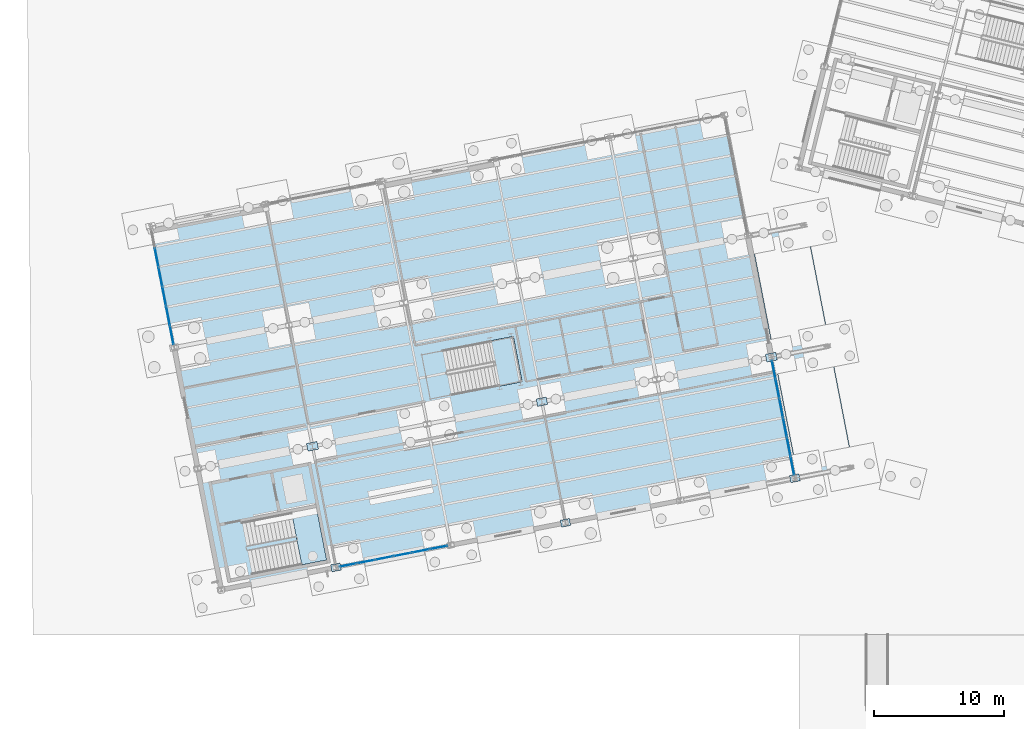
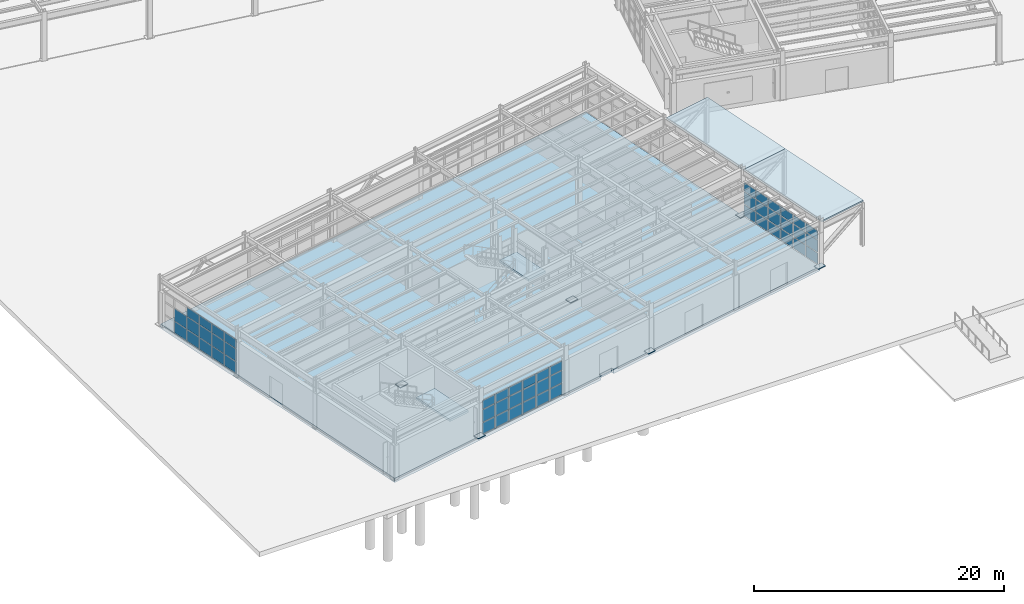
# One storey, part 60 of 108: 56 plates, 5 slabs, 5 elements without a shape of their own.
"""IFC4 building model written with IfcOpenShell, lengths in metres."""

import ifcopenshell
import ifcopenshell.guid

model = None  # the IFC model being written
_history = None  # IfcOwnerHistory: only IFC2X3 demands one
_inside = {}  # id of a spatial element -> (the spatial element, [elements in it])
_under = {}  # id of a project, library or spatial element -> (it, [spatial elements below it])
_declared = {}  # id of a project -> (the project, [libraries it declares])
_typed = {}  # id of a type object -> (the type object, [elements of that type])
_made_of = {}  # id of a material, layer set ... -> (it, [elements and type objects made of it])


def new_model(schema):
    """Start an empty IFC model of exactly this schema.

    Asked for "IFC4X3", IfcOpenShell would pick the latest addendum, in which some entities
    have other attributes; the version numbers below select the first issue.
    IFC2X3 requires an IfcOwnerHistory on every rooted entity: one is made here for all.
    """
    global model, _history
    if schema == "IFC4X3":
        model = ifcopenshell.file(schema_version=(4, 3, 0, 0))
    else:
        model = ifcopenshell.file(schema=schema)
    _inside.clear()
    _under.clear()
    _declared.clear()
    _typed.clear()
    _made_of.clear()
    _history = None
    if model.schema == "IFC2X3":
        org = make("IfcOrganization", Name="unknown")
        user = make(
            "IfcPersonAndOrganization",
            ThePerson=make("IfcPerson", FamilyName="unknown"),
            TheOrganization=org,
        )
        app = make(
            "IfcApplication",
            ApplicationDeveloper=org,
            Version="unknown",
            ApplicationFullName="unknown",
            ApplicationIdentifier="unknown",
        )
        _history = make(
            "IfcOwnerHistory",
            OwningUser=user,
            OwningApplication=app,
            ChangeAction="ADDED",
            CreationDate=0,
        )
    return model


def make(cls, **values):
    """One entity of the class cls with the attributes given. An attribute that is None is left unset."""
    return model.create_entity(
        cls, **{name: value for name, value in values.items() if value is not None}
    )


def rooted(cls, **values):
    """An entity with a GlobalId (a new one), such as an element, a storey or a relation."""
    return make(cls, GlobalId=ifcopenshell.guid.new(), OwnerHistory=_history, **values)


def si_unit(unit_type, name, prefix=None):
    """IfcSIUnit, for example si_unit("LENGTHUNIT", "METRE", prefix="MILLI")."""
    return make("IfcSIUnit", UnitType=unit_type, Prefix=prefix, Name=name)


def assignment(units):
    """IfcUnitAssignment: the units of a project."""
    return None if units is None else make("IfcUnitAssignment", Units=units)


def point(xyz):
    """IfcCartesianPoint."""
    return None if xyz is None else make("IfcCartesianPoint", Coordinates=xyz)


def direction(xyz):
    """IfcDirection."""
    return None if xyz is None else make("IfcDirection", DirectionRatios=xyz)


def frame(location, z_axis=None, x_axis=None):
    """IfcAxis2Placement3D, a coordinate frame: its origin and axes. An axis left out is left unset."""
    return make(
        "IfcAxis2Placement3D",
        Location=point(location),
        Axis=direction(z_axis),
        RefDirection=direction(x_axis),
    )


def frame_2d(location, x_axis=None):
    """IfcAxis2Placement2D, a coordinate frame in the plane: its origin and x axis."""
    return make(
        "IfcAxis2Placement2D", Location=point(location), RefDirection=direction(x_axis)
    )


def origin():
    """The frame at (0, 0, 0) with its axes left unset."""
    return frame((0.0, 0.0, 0.0))


def origin_2d():
    """The frame at (0, 0) in the plane with its x axis left unset."""
    return frame_2d((0.0, 0.0))


def place(relative_to, where):
    """IfcLocalPlacement: puts the frame where relative to a parent placement (None: the world)."""
    return make(
        "IfcLocalPlacement", PlacementRelTo=relative_to, RelativePlacement=where
    )


def context(
    kind, dimensions, precision=None, world=None, true_north=None, identifier=None
):
    """IfcGeometricRepresentationContext, for example the 3D "Model" context."""
    return make(
        "IfcGeometricRepresentationContext",
        ContextIdentifier=identifier,
        ContextType=kind,
        CoordinateSpaceDimension=dimensions,
        Precision=precision,
        WorldCoordinateSystem=world,
        TrueNorth=true_north,
    )


def subcontext(parent, identifier, kind, view, scale=None):
    """IfcGeometricRepresentationSubContext, for example "Body" below "Model"."""
    return make(
        "IfcGeometricRepresentationSubContext",
        ContextIdentifier=identifier,
        ContextType=kind,
        ParentContext=parent,
        TargetScale=scale,
        TargetView=view,
    )


def project(units=None, contexts=None):
    """IfcProject with its units and contexts."""
    return rooted(
        "IfcProject",
        Name="project",
        RepresentationContexts=contexts,
        UnitsInContext=assignment(units),
    )


def spatial(cls, under=None, at=None, **own):
    """A site, building, storey or space (cls), placed at a placement, below another one or the project."""
    s = rooted(cls, ObjectPlacement=at, **own)
    if under is not None:
        _under.setdefault(under.id(), (under, []))[1].append(s)
    return s


def polyline(points):
    """IfcPolyline through the points."""
    return make("IfcPolyline", Points=[point(p) for p in points])


def profile(cls, at=None, kind="AREA", **sizes):
    """A parametric profile (cls). Its sizes go by their IFC names, for example OverallWidth=200.0."""
    return make(cls, ProfileType=kind, Position=at, **sizes)


def rectangle(**sizes):
    """IfcRectangleProfileDef."""
    return profile("IfcRectangleProfileDef", **sizes)


def outline(outer, holes=None, kind="AREA"):
    """IfcArbitraryClosedProfileDef: a profile drawn as a closed curve; with holes, ...WithVoids."""
    if holes is None:
        return make("IfcArbitraryClosedProfileDef", ProfileType=kind, OuterCurve=outer)
    return make(
        "IfcArbitraryProfileDefWithVoids",
        ProfileType=kind,
        OuterCurve=outer,
        InnerCurves=holes,
    )


def extrude(swept, where, along, depth):
    """IfcExtrudedAreaSolid: the profile swept, set in the frame where, extruded along a direction by depth."""
    return make(
        "IfcExtrudedAreaSolid",
        SweptArea=swept,
        Position=where,
        ExtrudedDirection=direction(along),
        Depth=depth,
    )


def shape(context_of_items, identifier, shape_type, items):
    """IfcShapeRepresentation: the items that make up one representation, for example the "Body"."""
    return make(
        "IfcShapeRepresentation",
        ContextOfItems=context_of_items,
        RepresentationIdentifier=identifier,
        RepresentationType=shape_type,
        Items=items,
    )


def material(Name=None, Category=None):
    """IfcMaterial."""
    return make("IfcMaterial", Name=Name, Category=Category)


def layer(
    of_material, thickness, ventilated=None, Name=None, Category=None, Priority=None
):
    """IfcMaterialLayer: one layer of a wall or slab, of a material (None: an air gap)."""
    return make(
        "IfcMaterialLayer",
        Material=of_material,
        LayerThickness=thickness,
        IsVentilated=ventilated,
        Name=Name,
        Category=Category,
        Priority=Priority,
    )


def layer_set(layers, Name=None):
    """IfcMaterialLayerSet."""
    return make("IfcMaterialLayerSet", MaterialLayers=layers, LayerSetName=Name)


def made_of(thing, what):
    """Note that an element or type object is made of a material, layer set ...; save() writes the relation."""
    if what is not None:
        _made_of.setdefault(what.id(), (what, []))[1].append(thing)
    return thing


def type_object(cls, material=None, **own):
    """A type object (cls), such as IfcWallType, which elements share."""
    return made_of(rooted(cls, **own), material)


def element(
    cls,
    number,
    at=None,
    inside=None,
    cuts=None,
    type_object=None,
    material=None,
    context=None,
    identifier="Body",
    shape_type=None,
    held_by="IfcProductDefinitionShape",
    body=None,
    shapes=None,
    **own,
):
    """One element of the class cls, such as IfcWall. Its Tag is "e" and its number.

    at: its placement. inside: the storey or other place that contains it. cuts: it is an
    opening in that element (IfcRelVoidsElement). A single representation is given by context,
    identifier, shape_type and body (its items); several are given by shapes. held_by: the class
    of the entity that holds the representations. save() writes the other relations.
    """
    e = rooted(cls, Tag="e%d" % number, ObjectPlacement=at, **own)
    if body is not None:
        shapes = [shape(context, identifier, shape_type, body)]
    if shapes is not None:
        e.Representation = make(held_by, Representations=shapes)
    if inside is not None:
        _inside.setdefault(inside.id(), (inside, []))[1].append(e)
    if cuts is not None:
        rooted(
            "IfcRelVoidsElement", RelatingBuildingElement=cuts, RelatedOpeningElement=e
        )
    if type_object is not None:
        _typed.setdefault(type_object.id(), (type_object, []))[1].append(e)
    return made_of(e, material)


def aggregate(whole, parts):
    """IfcRelAggregates: a whole, such as a stair, and the parts it consists of."""
    return rooted("IfcRelAggregates", RelatingObject=whole, RelatedObjects=parts)


def save(model, path):
    """Write the relations noted so far, then the file.

    IfcRelAggregates (storeys below a building ...), IfcRelContainedInSpatialStructure (elements
    in a storey), IfcRelDefinesByType, IfcRelAssociatesMaterial and IfcRelDeclares: one each for
    every whole, place, type object, material and project.
    """
    for whole, parts in _under.values():
        aggregate(whole, parts)
    for where, things in _inside.values():
        rooted(
            "IfcRelContainedInSpatialStructure",
            RelatedElements=things,
            RelatingStructure=where,
        )
    for kind, things in _typed.values():
        rooted("IfcRelDefinesByType", RelatedObjects=things, RelatingType=kind)
    for what, things in _made_of.values():
        rooted("IfcRelAssociatesMaterial", RelatedObjects=things, RelatingMaterial=what)
    for by, libraries in _declared.values():
        rooted("IfcRelDeclares", RelatingContext=by, RelatedDefinitions=libraries)
    model.write(path)


model = new_model("IFC4")

# Units and contexts
model_context = context("Model", 3, precision=1e-05, world=origin(), true_north=direction((0.0, 1.0)))
body_context = subcontext(model_context, "Body", "Model", "MODEL_VIEW")
ifc_project = project(units=[si_unit("LENGTHUNIT", "METRE"), si_unit("AREAUNIT", "SQUARE_METRE"), si_unit("VOLUMEUNIT", "CUBIC_METRE"), si_unit("PLANEANGLEUNIT", "RADIAN"), si_unit("MASSUNIT", "GRAM", prefix="KILO")], contexts=[model_context])

# Site, building, storey
site_placement = place(None, origin())
site = spatial("IfcSite", under=ifc_project, at=site_placement, CompositionType="ELEMENT")
building_placement = place(site_placement, origin())
building = spatial("IfcBuilding", under=site, at=building_placement, Name="Vireo Bluff Cable Station", CompositionType="ELEMENT")
storey_placement = place(building_placement, origin())
storey = spatial("IfcBuildingStorey", under=building, at=storey_placement, Name="L00", CompositionType="ELEMENT", Elevation=0.0)

# Plates
ifc_material_1 = material(Name="Steel ASTM A572 Gr. 50", Category="steel")
ifc_layer_1 = layer(ifc_material_1, 0.044921875, Name="Steel ASTM A572 Gr. 50")
ifc_layer_set_1 = layer_set([ifc_layer_1], Name="Steel ASTM A572 Gr. 50")
plate_type_1 = type_object("IfcPlateType", Name="BASEPLATE-720X540X45", PredefinedType="SHEET", material=ifc_layer_set_1)
plate_1_placement = place(storey_placement, frame((36.00390625, 10.65185546875, 0.0), z_axis=(0.0, 0.0, 1.0), x_axis=(0.981627183448, 0.190808995377, 0.0)))
element("IfcPlate", 1, at=plate_1_placement, inside=storey, type_object=plate_type_1, Name="V5 column baseplate 230", PredefinedType="SHEET", context=body_context, shape_type="SweptSolid", body=[
    extrude(rectangle(XDim=0.719970703125, YDim=0.5400390625, at=origin_2d()), origin(), (0.0, 0.0, 1.0), 0.044921875),
])
ifc_layer_2 = layer(ifc_material_1, 0.047119140625, Name="Steel ASTM A572 Gr. 50")
ifc_layer_set_2 = layer_set([ifc_layer_2], Name="Steel ASTM A572 Gr. 50")
plate_type_2 = type_object("IfcPlateType", Name="BASEPLATE-740X550X47", PredefinedType="SHEET", material=ifc_layer_set_2)
for number, where, z_axis, x_axis, name in (
    (2, (18.334716796875, 7.21728515625, 0.0), (0.0, 0.0, 1.0), (0.981627183448, 0.190808995377, 0.0), "V5 column baseplate 222"),
    (3, (53.67333984375, 14.08642578125, 0.0), (0.0, 0.0, 1.0), (0.981627183448, 0.190808995377, 0.0), "V5 column baseplate 238"),
):
    element("IfcPlate", number, at=place(storey_placement, frame(where, z_axis=z_axis, x_axis=x_axis)), inside=storey, type_object=plate_type_2, Name=name, PredefinedType="SHEET", context=body_context, shape_type="SweptSolid", body=[
        extrude(rectangle(XDim=0.739990234375, YDim=0.550048828125, at=origin_2d()), origin(), (0.0, 0.0, 1.0), 0.047119140625),
    ])
ifc_layer_3 = layer(ifc_material_1, 0.050048828125, Name="Steel ASTM A572 Gr. 50")
ifc_layer_set_3 = layer_set([ifc_layer_3], Name="Steel ASTM A572 Gr. 50")
plate_type_3 = type_object("IfcPlateType", Name="BASEPLATE-780X580X50", PredefinedType="SHEET", material=ifc_layer_set_3)
plate_2_placement = place(storey_placement, frame((34.191162109375, 19.977294921875, 0.0), z_axis=(0.0, 0.0, 1.0), x_axis=(0.981627183448, 0.190808995377, 0.0)))
element("IfcPlate", 4, at=plate_2_placement, inside=storey, type_object=plate_type_3, Name="V5 column baseplate 231", PredefinedType="SHEET", context=body_context, shape_type="SweptSolid", body=[
    extrude(rectangle(XDim=0.780029296875, YDim=0.580078125, at=origin_2d()), origin(), (0.0, 0.0, 1.0), 0.050048828125),
])
ifc_layer_4 = layer(ifc_material_1, 0.052001953125, Name="Steel ASTM A572 Gr. 50")
ifc_layer_set_4 = layer_set([ifc_layer_4], Name="Steel ASTM A572 Gr. 50")
plate_type_4 = type_object("IfcPlateType", Name="BASEPLATE-820X600X52", PredefinedType="SHEET", material=ifc_layer_set_4)
for number, where, z_axis, x_axis, name in (
    (5, (16.52197265625, 16.542724609375, 0.0), (0.0, 0.0, 1.0), (0.981627183448, 0.190808995377, 0.0), "V5 column baseplate 223"),
    (6, (51.860595703125, 23.411865234375, 0.0), (0.0, 0.0, 1.0), (0.981627183448, 0.190808995377, 0.0), "V5 column baseplate 239"),
):
    element("IfcPlate", number, at=place(storey_placement, frame(where, z_axis=z_axis, x_axis=x_axis)), inside=storey, type_object=plate_type_4, Name=name, PredefinedType="SHEET", context=body_context, shape_type="SweptSolid", body=[
        extrude(rectangle(XDim=0.820068359375, YDim=0.60009765625, at=origin_2d()), origin(), (0.0, 0.0, 1.0), 0.052001953125),
    ])

# Curtain wall, plates
ifc_material_2 = material(Name="Anodized Aluminium 6063-T6", Category="aluminium")
ifc_layer_5 = layer(ifc_material_2, 0.179931640625, Name="Anodized Aluminium 6063-T6")
ifc_layer_set_5 = layer_set([ifc_layer_5], Name="Anodized Aluminium 6063-T6")
curtain_wall_type_1 = type_object("IfcCurtainWallType", Name="CW-UNIT-1400", PredefinedType="USERDEFINED", material=ifc_layer_set_5)
curtain_wall_1_placement = place(storey_placement, origin())
curtain_wall_1 = element("IfcCurtainWall", 7, at=curtain_wall_1_placement, inside=storey, type_object=curtain_wall_type_1, Name="V5 L00 south curtain wall CW-111", ObjectType="UNITISED CURTAIN WALL", PredefinedType="USERDEFINED")
ifc_material_3 = material(Name="Laminated Low-E Insulated Glass", Category="glass")
ifc_layer_6 = layer(ifc_material_3, 0.031982421875, Name="Laminated Low-E Insulated Glass")
ifc_layer_set_6 = layer_set([ifc_layer_6], Name="Laminated Low-E Insulated Glass")
plate_type_5 = type_object("IfcPlateType", Name="CWP-32-2", PredefinedType="CURTAIN_PANEL", material=ifc_layer_set_6)
plate_3_placement = place(storey_placement, frame((26.24560546875, 8.7548828125, 0.080078125), z_axis=(0.0, 0.0, 1.0), x_axis=(-0.981627191637, -0.190808953247, 0.0)))
plate_3 = element("IfcPlate", 8, at=plate_3_placement, type_object=plate_type_5, Name="CW-111 panel 1.1", PredefinedType="CURTAIN_PANEL", context=body_context, shape_type="SweptSolid", body=[
    extrude(rectangle(XDim=1.31201171875, YDim=0.031982421875, at=origin_2d()), origin(), (0.0, 0.0, 1.0), 1.070068359375),
])
plate_4_placement = place(storey_placement, frame((26.24560546875, 8.7548828125, 1.22998046875), z_axis=(0.0, 0.0, 1.0), x_axis=(-0.981627191637, -0.190808953247, 0.0)))
plate_4 = element("IfcPlate", 9, at=plate_4_placement, type_object=plate_type_5, Name="CW-111 panel 1.2", PredefinedType="CURTAIN_PANEL", context=body_context, shape_type="SweptSolid", body=[
    extrude(rectangle(XDim=1.31201171875, YDim=0.031982421875, at=origin_2d()), origin(), (0.0, 0.0, 1.0), 1.177978515625),
])
plate_5_placement = place(storey_placement, frame((26.24560546875, 8.7548828125, 2.488037109375), z_axis=(0.0, 0.0, 1.0), x_axis=(-0.981627191637, -0.190808953247, 0.0)))
plate_5 = element("IfcPlate", 10, at=plate_5_placement, type_object=plate_type_5, Name="CW-111 panel 1.3", PredefinedType="CURTAIN_PANEL", context=body_context, shape_type="SweptSolid", body=[
    extrude(rectangle(XDim=1.31201171875, YDim=0.031982421875, at=origin_2d()), origin(), (0.0, 0.0, 1.0), 0.83203125),
])
plate_6_placement = place(storey_placement, frame((24.859375, 8.485595703125, 0.080078125), z_axis=(0.0, 0.0, 1.0), x_axis=(-0.981627191637, -0.190808953247, 0.0)))
plate_6 = element("IfcPlate", 11, at=plate_6_placement, type_object=plate_type_5, Name="CW-111 panel 2.1", PredefinedType="CURTAIN_PANEL", context=body_context, shape_type="SweptSolid", body=[
    extrude(rectangle(XDim=1.35205078125, YDim=0.031982421875, at=origin_2d()), origin(), (0.0, 0.0, 1.0), 1.070068359375),
])
plate_7_placement = place(storey_placement, frame((24.859375, 8.485595703125, 1.22998046875), z_axis=(0.0, 0.0, 1.0), x_axis=(-0.981627191637, -0.190808953247, 0.0)))
plate_7 = element("IfcPlate", 12, at=plate_7_placement, type_object=plate_type_5, Name="CW-111 panel 2.2", PredefinedType="CURTAIN_PANEL", context=body_context, shape_type="SweptSolid", body=[
    extrude(rectangle(XDim=1.35205078125, YDim=0.031982421875, at=origin_2d()), origin(), (0.0, 0.0, 1.0), 1.177978515625),
])
plate_8_placement = place(storey_placement, frame((24.859375, 8.485595703125, 2.488037109375), z_axis=(0.0, 0.0, 1.0), x_axis=(-0.981627191637, -0.190808953247, 0.0)))
plate_8 = element("IfcPlate", 13, at=plate_8_placement, type_object=plate_type_5, Name="CW-111 panel 2.3", PredefinedType="CURTAIN_PANEL", context=body_context, shape_type="SweptSolid", body=[
    extrude(rectangle(XDim=1.35205078125, YDim=0.031982421875, at=origin_2d()), origin(), (0.0, 0.0, 1.0), 0.83203125),
])
plate_9_placement = place(storey_placement, frame((23.45361328125, 8.21240234375, 0.080078125), z_axis=(0.0, 0.0, 1.0), x_axis=(-0.981627191637, -0.190808953247, 0.0)))
plate_9 = element("IfcPlate", 14, at=plate_9_placement, type_object=plate_type_5, Name="CW-111 panel 3.1", PredefinedType="CURTAIN_PANEL", context=body_context, shape_type="SweptSolid", body=[
    extrude(rectangle(XDim=1.35205078125, YDim=0.031982421875, at=origin_2d()), origin(), (0.0, 0.0, 1.0), 1.070068359375),
])
plate_10_placement = place(storey_placement, frame((23.45361328125, 8.21240234375, 1.22998046875), z_axis=(0.0, 0.0, 1.0), x_axis=(-0.981627191637, -0.190808953247, 0.0)))
plate_10 = element("IfcPlate", 15, at=plate_10_placement, type_object=plate_type_5, Name="CW-111 panel 3.2", PredefinedType="CURTAIN_PANEL", context=body_context, shape_type="SweptSolid", body=[
    extrude(rectangle(XDim=1.35205078125, YDim=0.031982421875, at=origin_2d()), origin(), (0.0, 0.0, 1.0), 1.177978515625),
])
plate_11_placement = place(storey_placement, frame((23.45361328125, 8.21240234375, 2.488037109375), z_axis=(0.0, 0.0, 1.0), x_axis=(-0.981627191637, -0.190808953247, 0.0)))
plate_11 = element("IfcPlate", 16, at=plate_11_placement, type_object=plate_type_5, Name="CW-111 panel 3.3", PredefinedType="CURTAIN_PANEL", context=body_context, shape_type="SweptSolid", body=[
    extrude(rectangle(XDim=1.35205078125, YDim=0.031982421875, at=origin_2d()), origin(), (0.0, 0.0, 1.0), 0.83203125),
])
plate_12_placement = place(storey_placement, frame((22.0478515625, 7.93896484375, 0.080078125), z_axis=(0.0, 0.0, 1.0), x_axis=(-0.981627191637, -0.190808953247, 0.0)))
plate_12 = element("IfcPlate", 17, at=plate_12_placement, type_object=plate_type_5, Name="CW-111 panel 4.1", PredefinedType="CURTAIN_PANEL", context=body_context, shape_type="SweptSolid", body=[
    extrude(rectangle(XDim=1.35205078125, YDim=0.031982421875, at=origin_2d()), origin(), (0.0, 0.0, 1.0), 1.070068359375),
])
plate_13_placement = place(storey_placement, frame((22.0478515625, 7.93896484375, 1.22998046875), z_axis=(0.0, 0.0, 1.0), x_axis=(-0.981627191637, -0.190808953247, 0.0)))
plate_13 = element("IfcPlate", 18, at=plate_13_placement, type_object=plate_type_5, Name="CW-111 panel 4.2", PredefinedType="CURTAIN_PANEL", context=body_context, shape_type="SweptSolid", body=[
    extrude(rectangle(XDim=1.35205078125, YDim=0.031982421875, at=origin_2d()), origin(), (0.0, 0.0, 1.0), 1.177978515625),
])
plate_14_placement = place(storey_placement, frame((22.0478515625, 7.93896484375, 2.488037109375), z_axis=(0.0, 0.0, 1.0), x_axis=(-0.981627191637, -0.190808953247, 0.0)))
plate_14 = element("IfcPlate", 19, at=plate_14_placement, type_object=plate_type_5, Name="CW-111 panel 4.3", PredefinedType="CURTAIN_PANEL", context=body_context, shape_type="SweptSolid", body=[
    extrude(rectangle(XDim=1.35205078125, YDim=0.031982421875, at=origin_2d()), origin(), (0.0, 0.0, 1.0), 0.83203125),
])
plate_15_placement = place(storey_placement, frame((20.64208984375, 7.665771484375, 0.080078125), z_axis=(0.0, 0.0, 1.0), x_axis=(-0.981627191637, -0.190808953247, 0.0)))
plate_15 = element("IfcPlate", 20, at=plate_15_placement, type_object=plate_type_5, Name="CW-111 panel 5.1", PredefinedType="CURTAIN_PANEL", context=body_context, shape_type="SweptSolid", body=[
    extrude(rectangle(XDim=1.35205078125, YDim=0.031982421875, at=origin_2d()), origin(), (0.0, 0.0, 1.0), 1.070068359375),
])
plate_16_placement = place(storey_placement, frame((20.64208984375, 7.665771484375, 1.22998046875), z_axis=(0.0, 0.0, 1.0), x_axis=(-0.981627191637, -0.190808953247, 0.0)))
plate_16 = element("IfcPlate", 21, at=plate_16_placement, type_object=plate_type_5, Name="CW-111 panel 5.2", PredefinedType="CURTAIN_PANEL", context=body_context, shape_type="SweptSolid", body=[
    extrude(rectangle(XDim=1.35205078125, YDim=0.031982421875, at=origin_2d()), origin(), (0.0, 0.0, 1.0), 1.177978515625),
])
plate_17_placement = place(storey_placement, frame((20.64208984375, 7.665771484375, 2.488037109375), z_axis=(0.0, 0.0, 1.0), x_axis=(-0.981627191637, -0.190808953247, 0.0)))
plate_17 = element("IfcPlate", 22, at=plate_17_placement, type_object=plate_type_5, Name="CW-111 panel 5.3", PredefinedType="CURTAIN_PANEL", context=body_context, shape_type="SweptSolid", body=[
    extrude(rectangle(XDim=1.35205078125, YDim=0.031982421875, at=origin_2d()), origin(), (0.0, 0.0, 1.0), 0.83203125),
])
plate_18_placement = place(storey_placement, frame((19.255859375, 7.396484375, 0.080078125), z_axis=(0.0, 0.0, 1.0), x_axis=(-0.981627191637, -0.190808953247, 0.0)))
plate_18 = element("IfcPlate", 23, at=plate_18_placement, type_object=plate_type_5, Name="CW-111 panel 6.1", PredefinedType="CURTAIN_PANEL", context=body_context, shape_type="SweptSolid", body=[
    extrude(rectangle(XDim=1.31201171875, YDim=0.031982421875, at=origin_2d()), origin(), (0.0, 0.0, 1.0), 1.070068359375),
])
plate_19_placement = place(storey_placement, frame((19.255859375, 7.396484375, 1.22998046875), z_axis=(0.0, 0.0, 1.0), x_axis=(-0.981627191637, -0.190808953247, 0.0)))
plate_19 = element("IfcPlate", 24, at=plate_19_placement, type_object=plate_type_5, Name="CW-111 panel 6.2", PredefinedType="CURTAIN_PANEL", context=body_context, shape_type="SweptSolid", body=[
    extrude(rectangle(XDim=1.31201171875, YDim=0.031982421875, at=origin_2d()), origin(), (0.0, 0.0, 1.0), 1.177978515625),
])
plate_20_placement = place(storey_placement, frame((19.255859375, 7.396484375, 2.488037109375), z_axis=(0.0, 0.0, 1.0), x_axis=(-0.981627191637, -0.190808953247, 0.0)))
plate_20 = element("IfcPlate", 25, at=plate_20_placement, type_object=plate_type_5, Name="CW-111 panel 6.3", PredefinedType="CURTAIN_PANEL", context=body_context, shape_type="SweptSolid", body=[
    extrude(rectangle(XDim=1.31201171875, YDim=0.031982421875, at=origin_2d()), origin(), (0.0, 0.0, 1.0), 0.83203125),
])
aggregate(curtain_wall_1, [plate_3, plate_4, plate_5, plate_6, plate_7, plate_8, plate_9, plate_10, plate_11, plate_12, plate_13, plate_14, plate_15, plate_16, plate_17, plate_18, plate_19, plate_20])

ifc_layer_7 = layer(ifc_material_2, 0.179931640625, Name="Anodized Aluminium 6063-T6")
ifc_layer_set_7 = layer_set([ifc_layer_7], Name="Anodized Aluminium 6063-T6")
curtain_wall_type_2 = type_object("IfcCurtainWallType", Name="CW-UNIT-1500", PredefinedType="USERDEFINED", material=ifc_layer_set_7)
curtain_wall_2_placement = place(storey_placement, origin())
curtain_wall_2 = element("IfcCurtainWall", 26, at=curtain_wall_2_placement, inside=storey, type_object=curtain_wall_type_2, Name="V5 L00 west curtain wall CW-112", ObjectType="UNITISED CURTAIN WALL", PredefinedType="USERDEFINED")
ifc_layer_8 = layer(ifc_material_3, 0.035888671875, Name="Laminated Low-E Insulated Glass")
ifc_layer_set_8 = layer_set([ifc_layer_8], Name="Laminated Low-E Insulated Glass")
plate_type_6 = type_object("IfcPlateType", Name="CWP-36-3", PredefinedType="CURTAIN_PANEL", material=ifc_layer_set_8)
plate_21_placement = place(storey_placement, frame((5.68603515625, 25.12060546875, 0.06494140625), z_axis=(0.0, 0.0, 1.0), x_axis=(-0.190809009717, 0.98162718066, 0.0)))
plate_21 = element("IfcPlate", 27, at=plate_21_placement, type_object=plate_type_6, Name="CW-112 panel 1.1", PredefinedType="CURTAIN_PANEL", context=body_context, shape_type="SweptSolid", body=[
    extrude(rectangle(XDim=1.4248046875, YDim=0.035888671875, at=origin_2d()), origin(), (0.0, 0.0, 1.0), 1.092529296875),
])
plate_22_placement = place(storey_placement, frame((5.68603515625, 25.12060546875, 1.22265625), z_axis=(0.0, 0.0, 1.0), x_axis=(-0.190809009717, 0.98162718066, 0.0)))
plate_22 = element("IfcPlate", 28, at=plate_22_placement, type_object=plate_type_6, Name="CW-112 panel 1.2", PredefinedType="CURTAIN_PANEL", context=body_context, shape_type="SweptSolid", body=[
    extrude(rectangle(XDim=1.4248046875, YDim=0.035888671875, at=origin_2d()), origin(), (0.0, 0.0, 1.0), 1.193115234375),
])
plate_23_placement = place(storey_placement, frame((5.68603515625, 25.12060546875, 2.48046875), z_axis=(0.0, 0.0, 1.0), x_axis=(-0.190809009717, 0.98162718066, 0.0)))
plate_23 = element("IfcPlate", 29, at=plate_23_placement, type_object=plate_type_6, Name="CW-112 panel 1.3", PredefinedType="CURTAIN_PANEL", context=body_context, shape_type="SweptSolid", body=[
    extrude(rectangle(XDim=1.4248046875, YDim=0.035888671875, at=origin_2d()), origin(), (0.0, 0.0, 1.0), 0.8544921875),
])
plate_24_placement = place(storey_placement, frame((5.398681640625, 26.59912109375, 0.06494140625), z_axis=(0.0, 0.0, 1.0), x_axis=(-0.190809009717, 0.98162718066, 0.0)))
plate_24 = element("IfcPlate", 30, at=plate_24_placement, type_object=plate_type_6, Name="CW-112 panel 2.1", PredefinedType="CURTAIN_PANEL", context=body_context, shape_type="SweptSolid", body=[
    extrude(rectangle(XDim=1.45751953125, YDim=0.035888671875, at=origin_2d()), origin(), (0.0, 0.0, 1.0), 1.092529296875),
])
plate_25_placement = place(storey_placement, frame((5.398681640625, 26.59912109375, 1.22265625), z_axis=(0.0, 0.0, 1.0), x_axis=(-0.190809009717, 0.98162718066, 0.0)))
plate_25 = element("IfcPlate", 31, at=plate_25_placement, type_object=plate_type_6, Name="CW-112 panel 2.2", PredefinedType="CURTAIN_PANEL", context=body_context, shape_type="SweptSolid", body=[
    extrude(rectangle(XDim=1.45751953125, YDim=0.035888671875, at=origin_2d()), origin(), (0.0, 0.0, 1.0), 1.193115234375),
])
plate_26_placement = place(storey_placement, frame((5.398681640625, 26.59912109375, 2.48046875), z_axis=(0.0, 0.0, 1.0), x_axis=(-0.190809009717, 0.98162718066, 0.0)))
plate_26 = element("IfcPlate", 32, at=plate_26_placement, type_object=plate_type_6, Name="CW-112 panel 2.3", PredefinedType="CURTAIN_PANEL", context=body_context, shape_type="SweptSolid", body=[
    extrude(rectangle(XDim=1.45751953125, YDim=0.035888671875, at=origin_2d()), origin(), (0.0, 0.0, 1.0), 0.8544921875),
])
plate_27_placement = place(storey_placement, frame((5.108154296875, 28.09375, 0.06494140625), z_axis=(0.0, 0.0, 1.0), x_axis=(-0.190809009717, 0.98162718066, 0.0)))
plate_27 = element("IfcPlate", 33, at=plate_27_placement, type_object=plate_type_6, Name="CW-112 panel 3.1", PredefinedType="CURTAIN_PANEL", context=body_context, shape_type="SweptSolid", body=[
    extrude(rectangle(XDim=1.45751953125, YDim=0.035888671875, at=origin_2d()), origin(), (0.0, 0.0, 1.0), 1.092529296875),
])
plate_28_placement = place(storey_placement, frame((5.108154296875, 28.09375, 1.22265625), z_axis=(0.0, 0.0, 1.0), x_axis=(-0.190809009717, 0.98162718066, 0.0)))
plate_28 = element("IfcPlate", 34, at=plate_28_placement, type_object=plate_type_6, Name="CW-112 panel 3.2", PredefinedType="CURTAIN_PANEL", context=body_context, shape_type="SweptSolid", body=[
    extrude(rectangle(XDim=1.45751953125, YDim=0.035888671875, at=origin_2d()), origin(), (0.0, 0.0, 1.0), 1.193115234375),
])
plate_29_placement = place(storey_placement, frame((5.108154296875, 28.09375, 2.48046875), z_axis=(0.0, 0.0, 1.0), x_axis=(-0.190809009717, 0.98162718066, 0.0)))
plate_29 = element("IfcPlate", 35, at=plate_29_placement, type_object=plate_type_6, Name="CW-112 panel 3.3", PredefinedType="CURTAIN_PANEL", context=body_context, shape_type="SweptSolid", body=[
    extrude(rectangle(XDim=1.45751953125, YDim=0.035888671875, at=origin_2d()), origin(), (0.0, 0.0, 1.0), 0.8544921875),
])
plate_30_placement = place(storey_placement, frame((4.817626953125, 29.588134765625, 0.06494140625), z_axis=(0.0, 0.0, 1.0), x_axis=(-0.190809009717, 0.98162718066, 0.0)))
plate_30 = element("IfcPlate", 36, at=plate_30_placement, type_object=plate_type_6, Name="CW-112 panel 4.1", PredefinedType="CURTAIN_PANEL", context=body_context, shape_type="SweptSolid", body=[
    extrude(rectangle(XDim=1.45751953125, YDim=0.035888671875, at=origin_2d()), origin(), (0.0, 0.0, 1.0), 1.092529296875),
])
plate_31_placement = place(storey_placement, frame((4.817626953125, 29.588134765625, 1.22265625), z_axis=(0.0, 0.0, 1.0), x_axis=(-0.190809009717, 0.98162718066, 0.0)))
plate_31 = element("IfcPlate", 37, at=plate_31_placement, type_object=plate_type_6, Name="CW-112 panel 4.2", PredefinedType="CURTAIN_PANEL", context=body_context, shape_type="SweptSolid", body=[
    extrude(rectangle(XDim=1.45751953125, YDim=0.035888671875, at=origin_2d()), origin(), (0.0, 0.0, 1.0), 1.193115234375),
])
plate_32_placement = place(storey_placement, frame((4.817626953125, 29.588134765625, 2.48046875), z_axis=(0.0, 0.0, 1.0), x_axis=(-0.190809009717, 0.98162718066, 0.0)))
plate_32 = element("IfcPlate", 38, at=plate_32_placement, type_object=plate_type_6, Name="CW-112 panel 4.3", PredefinedType="CURTAIN_PANEL", context=body_context, shape_type="SweptSolid", body=[
    extrude(rectangle(XDim=1.45751953125, YDim=0.035888671875, at=origin_2d()), origin(), (0.0, 0.0, 1.0), 0.8544921875),
])
plate_33_placement = place(storey_placement, frame((4.52734375, 31.08251953125, 0.06494140625), z_axis=(0.0, 0.0, 1.0), x_axis=(-0.190809009717, 0.98162718066, 0.0)))
plate_33 = element("IfcPlate", 39, at=plate_33_placement, type_object=plate_type_6, Name="CW-112 panel 5.1", PredefinedType="CURTAIN_PANEL", context=body_context, shape_type="SweptSolid", body=[
    extrude(rectangle(XDim=1.45751953125, YDim=0.035888671875, at=origin_2d()), origin(), (0.0, 0.0, 1.0), 1.092529296875),
])
plate_34_placement = place(storey_placement, frame((4.52734375, 31.08251953125, 1.22265625), z_axis=(0.0, 0.0, 1.0), x_axis=(-0.190809009717, 0.98162718066, 0.0)))
plate_34 = element("IfcPlate", 40, at=plate_34_placement, type_object=plate_type_6, Name="CW-112 panel 5.2", PredefinedType="CURTAIN_PANEL", context=body_context, shape_type="SweptSolid", body=[
    extrude(rectangle(XDim=1.45751953125, YDim=0.035888671875, at=origin_2d()), origin(), (0.0, 0.0, 1.0), 1.193115234375),
])
aggregate(curtain_wall_2, [plate_21, plate_22, plate_23, plate_24, plate_25, plate_26, plate_27, plate_28, plate_29, plate_30, plate_31, plate_32, plate_33, plate_34])

curtain_wall_3_placement = place(storey_placement, origin())
curtain_wall_3 = element("IfcCurtainWall", 41, at=curtain_wall_3_placement, inside=storey, type_object=curtain_wall_type_1, Name="V5 L00 east curtain wall CW-117", ObjectType="UNITISED CURTAIN WALL", PredefinedType="USERDEFINED")
plate_35_placement = place(storey_placement, frame((52.047119140625, 22.4521484375, 0.0751953125), z_axis=(0.0, 0.0, 1.0), x_axis=(0.190808976239, -0.981627187168, 0.0)))
plate_35 = element("IfcPlate", 42, at=plate_35_placement, type_object=plate_type_6, Name="CW-117 panel 1.1", PredefinedType="CURTAIN_PANEL", context=body_context, shape_type="SweptSolid", body=[
    extrude(rectangle(XDim=1.402099609375, YDim=0.035888671875, at=origin_2d()), origin(), (0.0, 0.0, 1.0), 1.077392578125),
])
plate_36_placement = place(storey_placement, frame((52.047119140625, 22.4521484375, 1.2275390625), z_axis=(0.0, 0.0, 1.0), x_axis=(0.190808976239, -0.981627187168, 0.0)))
plate_36 = element("IfcPlate", 43, at=plate_36_placement, type_object=plate_type_6, Name="CW-117 panel 1.2", PredefinedType="CURTAIN_PANEL", context=body_context, shape_type="SweptSolid", body=[
    extrude(rectangle(XDim=1.402099609375, YDim=0.035888671875, at=origin_2d()), origin(), (0.0, 0.0, 1.0), 1.18310546875),
])
plate_37_placement = place(storey_placement, frame((52.047119140625, 22.4521484375, 2.4853515625), z_axis=(0.0, 0.0, 1.0), x_axis=(0.190808976239, -0.981627187168, 0.0)))
plate_37 = element("IfcPlate", 44, at=plate_37_placement, type_object=plate_type_6, Name="CW-117 panel 1.3", PredefinedType="CURTAIN_PANEL", context=body_context, shape_type="SweptSolid", body=[
    extrude(rectangle(XDim=1.402099609375, YDim=0.035888671875, at=origin_2d()), origin(), (0.0, 0.0, 1.0), 0.839599609375),
])
plate_38_placement = place(storey_placement, frame((52.33251953125, 20.98388671875, 0.0751953125), z_axis=(0.0, 0.0, 1.0), x_axis=(0.190808976239, -0.981627187168, 0.0)))
plate_38 = element("IfcPlate", 45, at=plate_38_placement, type_object=plate_type_6, Name="CW-117 panel 2.1", PredefinedType="CURTAIN_PANEL", context=body_context, shape_type="SweptSolid", body=[
    extrude(rectangle(XDim=1.439697265625, YDim=0.035888671875, at=origin_2d()), origin(), (0.0, 0.0, 1.0), 1.077392578125),
])
plate_39_placement = place(storey_placement, frame((52.33251953125, 20.98388671875, 1.2275390625), z_axis=(0.0, 0.0, 1.0), x_axis=(0.190808976239, -0.981627187168, 0.0)))
plate_39 = element("IfcPlate", 46, at=plate_39_placement, type_object=plate_type_6, Name="CW-117 panel 2.2", PredefinedType="CURTAIN_PANEL", context=body_context, shape_type="SweptSolid", body=[
    extrude(rectangle(XDim=1.439697265625, YDim=0.035888671875, at=origin_2d()), origin(), (0.0, 0.0, 1.0), 1.18310546875),
])
plate_40_placement = place(storey_placement, frame((52.33251953125, 20.98388671875, 2.4853515625), z_axis=(0.0, 0.0, 1.0), x_axis=(0.190808976239, -0.981627187168, 0.0)))
plate_40 = element("IfcPlate", 47, at=plate_40_placement, type_object=plate_type_6, Name="CW-117 panel 2.3", PredefinedType="CURTAIN_PANEL", context=body_context, shape_type="SweptSolid", body=[
    extrude(rectangle(XDim=1.439697265625, YDim=0.035888671875, at=origin_2d()), origin(), (0.0, 0.0, 1.0), 0.839599609375),
])
plate_41_placement = place(storey_placement, frame((52.62158203125, 19.4970703125, 0.0751953125), z_axis=(0.0, 0.0, 1.0), x_axis=(0.190808976239, -0.981627187168, 0.0)))
plate_41 = element("IfcPlate", 48, at=plate_41_placement, type_object=plate_type_6, Name="CW-117 panel 3.1", PredefinedType="CURTAIN_PANEL", context=body_context, shape_type="SweptSolid", body=[
    extrude(rectangle(XDim=1.439697265625, YDim=0.035888671875, at=origin_2d()), origin(), (0.0, 0.0, 1.0), 1.077392578125),
])
plate_42_placement = place(storey_placement, frame((52.62158203125, 19.4970703125, 1.2275390625), z_axis=(0.0, 0.0, 1.0), x_axis=(0.190808976239, -0.981627187168, 0.0)))
plate_42 = element("IfcPlate", 49, at=plate_42_placement, type_object=plate_type_6, Name="CW-117 panel 3.2", PredefinedType="CURTAIN_PANEL", context=body_context, shape_type="SweptSolid", body=[
    extrude(rectangle(XDim=1.439697265625, YDim=0.035888671875, at=origin_2d()), origin(), (0.0, 0.0, 1.0), 1.18310546875),
])
plate_43_placement = place(storey_placement, frame((52.62158203125, 19.4970703125, 2.4853515625), z_axis=(0.0, 0.0, 1.0), x_axis=(0.190808976239, -0.981627187168, 0.0)))
plate_43 = element("IfcPlate", 50, at=plate_43_placement, type_object=plate_type_6, Name="CW-117 panel 3.3", PredefinedType="CURTAIN_PANEL", context=body_context, shape_type="SweptSolid", body=[
    extrude(rectangle(XDim=1.439697265625, YDim=0.035888671875, at=origin_2d()), origin(), (0.0, 0.0, 1.0), 0.839599609375),
])
plate_44_placement = place(storey_placement, frame((52.91064453125, 18.01025390625, 0.0751953125), z_axis=(0.0, 0.0, 1.0), x_axis=(0.190808976239, -0.981627187168, 0.0)))
plate_44 = element("IfcPlate", 51, at=plate_44_placement, type_object=plate_type_6, Name="CW-117 panel 4.1", PredefinedType="CURTAIN_PANEL", context=body_context, shape_type="SweptSolid", body=[
    extrude(rectangle(XDim=1.439697265625, YDim=0.035888671875, at=origin_2d()), origin(), (0.0, 0.0, 1.0), 1.077392578125),
])
plate_45_placement = place(storey_placement, frame((52.91064453125, 18.01025390625, 1.2275390625), z_axis=(0.0, 0.0, 1.0), x_axis=(0.190808976239, -0.981627187168, 0.0)))
plate_45 = element("IfcPlate", 52, at=plate_45_placement, type_object=plate_type_6, Name="CW-117 panel 4.2", PredefinedType="CURTAIN_PANEL", context=body_context, shape_type="SweptSolid", body=[
    extrude(rectangle(XDim=1.439697265625, YDim=0.035888671875, at=origin_2d()), origin(), (0.0, 0.0, 1.0), 1.18310546875),
])
plate_46_placement = place(storey_placement, frame((52.91064453125, 18.01025390625, 2.4853515625), z_axis=(0.0, 0.0, 1.0), x_axis=(0.190808976239, -0.981627187168, 0.0)))
plate_46 = element("IfcPlate", 53, at=plate_46_placement, type_object=plate_type_6, Name="CW-117 panel 4.3", PredefinedType="CURTAIN_PANEL", context=body_context, shape_type="SweptSolid", body=[
    extrude(rectangle(XDim=1.439697265625, YDim=0.035888671875, at=origin_2d()), origin(), (0.0, 0.0, 1.0), 0.839599609375),
])
plate_47_placement = place(storey_placement, frame((53.199462890625, 16.523193359375, 0.0751953125), z_axis=(0.0, 0.0, 1.0), x_axis=(0.190808976239, -0.981627187168, 0.0)))
plate_47 = element("IfcPlate", 54, at=plate_47_placement, type_object=plate_type_6, Name="CW-117 panel 5.1", PredefinedType="CURTAIN_PANEL", context=body_context, shape_type="SweptSolid", body=[
    extrude(rectangle(XDim=1.439697265625, YDim=0.035888671875, at=origin_2d()), origin(), (0.0, 0.0, 1.0), 1.077392578125),
])
plate_48_placement = place(storey_placement, frame((53.199462890625, 16.523193359375, 1.2275390625), z_axis=(0.0, 0.0, 1.0), x_axis=(0.190808976239, -0.981627187168, 0.0)))
plate_48 = element("IfcPlate", 55, at=plate_48_placement, type_object=plate_type_6, Name="CW-117 panel 5.2", PredefinedType="CURTAIN_PANEL", context=body_context, shape_type="SweptSolid", body=[
    extrude(rectangle(XDim=1.439697265625, YDim=0.035888671875, at=origin_2d()), origin(), (0.0, 0.0, 1.0), 1.18310546875),
])
plate_49_placement = place(storey_placement, frame((53.199462890625, 16.523193359375, 2.4853515625), z_axis=(0.0, 0.0, 1.0), x_axis=(0.190808976239, -0.981627187168, 0.0)))
plate_49 = element("IfcPlate", 56, at=plate_49_placement, type_object=plate_type_6, Name="CW-117 panel 5.3", PredefinedType="CURTAIN_PANEL", context=body_context, shape_type="SweptSolid", body=[
    extrude(rectangle(XDim=1.439697265625, YDim=0.035888671875, at=origin_2d()), origin(), (0.0, 0.0, 1.0), 0.839599609375),
])
plate_50_placement = place(storey_placement, frame((53.48486328125, 15.054931640625, 0.0751953125), z_axis=(0.0, 0.0, 1.0), x_axis=(0.190808976239, -0.981627187168, 0.0)))
plate_50 = element("IfcPlate", 57, at=plate_50_placement, type_object=plate_type_6, Name="CW-117 panel 6.1", PredefinedType="CURTAIN_PANEL", context=body_context, shape_type="SweptSolid", body=[
    extrude(rectangle(XDim=1.402099609375, YDim=0.035888671875, at=origin_2d()), origin(), (0.0, 0.0, 1.0), 1.077392578125),
])
plate_51_placement = place(storey_placement, frame((53.48486328125, 15.054931640625, 1.2275390625), z_axis=(0.0, 0.0, 1.0), x_axis=(0.190808976239, -0.981627187168, 0.0)))
plate_51 = element("IfcPlate", 58, at=plate_51_placement, type_object=plate_type_6, Name="CW-117 panel 6.2", PredefinedType="CURTAIN_PANEL", context=body_context, shape_type="SweptSolid", body=[
    extrude(rectangle(XDim=1.402099609375, YDim=0.035888671875, at=origin_2d()), origin(), (0.0, 0.0, 1.0), 1.18310546875),
])
plate_52_placement = place(storey_placement, frame((53.48486328125, 15.054931640625, 2.4853515625), z_axis=(0.0, 0.0, 1.0), x_axis=(0.190808976239, -0.981627187168, 0.0)))
plate_52 = element("IfcPlate", 59, at=plate_52_placement, type_object=plate_type_6, Name="CW-117 panel 6.3", PredefinedType="CURTAIN_PANEL", context=body_context, shape_type="SweptSolid", body=[
    extrude(rectangle(XDim=1.402099609375, YDim=0.035888671875, at=origin_2d()), origin(), (0.0, 0.0, 1.0), 0.839599609375),
])
aggregate(curtain_wall_3, [plate_35, plate_36, plate_37, plate_38, plate_39, plate_40, plate_41, plate_42, plate_43, plate_44, plate_45, plate_46, plate_47, plate_48, plate_49, plate_50, plate_51, plate_52])

# Slab
ifc_material_4 = material(Name="Concrete f'c 40 MPa", Category="concrete")
ifc_layer_9 = layer(ifc_material_4, 0.419921875, Name="Concrete f'c 40 MPa")
ifc_layer_set_9 = layer_set([ifc_layer_9], Name="Concrete f'c 40 MPa")
slab_type_1 = type_object("IfcSlabType", Name="GSL-420", PredefinedType="BASESLAB", material=ifc_layer_set_9)
slab_1_placement = place(storey_placement, frame((0.0, 0.0, -0.419921875)))
element("IfcSlab", 60, at=slab_1_placement, inside=storey, type_object=slab_type_1, Name="V5 L00 base slab", PredefinedType="BASESLAB", context=body_context, shape_type="SweptSolid", body=[
    extrude(outline(polyline([(9.5, 5.5), (30.948486328125, 9.669189453125), (30.906494140625, 9.88525390625), (32.1826171875, 10.13330078125), (32.224609375, 9.917236328125), (53.67333984375, 14.08642578125), (48.235107421875, 42.062744140625), (4.06201171875, 33.476318359375), (9.5, 5.5)])), origin(), (0.0, 0.0, 1.0), 0.419921875),
])

# Stair, slab
stair_type_1 = type_object("IfcStairType", Name="STAIR-HT-1950", PredefinedType="HALF_TURN_STAIR", material=ifc_material_4)
stair_1_placement = place(storey_placement, origin())
stair_1 = element("IfcStair", 61, at=stair_1_placement, inside=storey, type_object=stair_type_1, Name="L00 CORE-5 Exit Stair ST-05", PredefinedType="HALF_TURN_STAIR")
ifc_layer_10 = layer(ifc_material_4, 0.199951171875, Name="Concrete f'c 40 MPa")
ifc_layer_set_10 = layer_set([ifc_layer_10], Name="Concrete f'c 40 MPa")
slab_type_2 = type_object("IfcSlabType", Name="LANDING-200", PredefinedType="LANDING", material=ifc_layer_set_10)
slab_2_placement = place(storey_placement, frame((0.0, 0.0, 2.199951171875)))
slab_2 = element("IfcSlab", 62, at=slab_2_placement, type_object=slab_type_2, Name="ST-05 landing 1", PredefinedType="LANDING", context=body_context, shape_type="SweptSolid", body=[
    extrude(outline(polyline([(15.697265625, 7.417724609375), (17.612060546875, 7.7900390625), (16.829833984375, 11.814697265625), (14.914794921875, 11.4423828125), (15.697265625, 7.417724609375)])), origin(), (0.0, 0.0, 1.0), 0.199951171875),
])
aggregate(stair_1, [slab_2])

stair_type_2 = type_object("IfcStairType", Name="STAIR-HT-1680", PredefinedType="HALF_TURN_STAIR", material=ifc_material_4)
stair_2_placement = place(storey_placement, origin())
stair_2 = element("IfcStair", 63, at=stair_2_placement, inside=storey, type_object=stair_type_2, Name="L00 Feature Concourse Stair ST-07", PredefinedType="HALF_TURN_STAIR")
ifc_layer_11 = layer(ifc_material_4, 0.219970703125, Name="Concrete f'c 40 MPa")
ifc_layer_set_11 = layer_set([ifc_layer_11], Name="Concrete f'c 40 MPa")
slab_type_3 = type_object("IfcSlabType", Name="LANDING-220", PredefinedType="LANDING", material=ifc_layer_set_11)
slab_3_placement = place(storey_placement, frame((0.0, 0.0, 2.199951171875)))
slab_3 = element("IfcSlab", 64, at=slab_3_placement, type_object=slab_type_3, Name="ST-07 landing 1", PredefinedType="LANDING", context=body_context, shape_type="SweptSolid", body=[
    extrude(outline(polyline([(30.902099609375, 21.171630859375), (32.669921875, 21.515380859375), (31.990478515625, 25.009765625), (30.222900390625, 24.666259765625), (30.902099609375, 21.171630859375)])), origin(), (0.0, 0.0, 1.0), 0.199951171875),
])
aggregate(stair_2, [slab_3])

# Slabs
ifc_layer_12 = layer(ifc_material_4, 0.14990234375, Name="Concrete f'c 40 MPa")
ifc_layer_set_12 = layer_set([ifc_layer_12], Name="Concrete f'c 40 MPa")
slab_type_4 = type_object("IfcSlabType", Name="ROOFSLAB-150-4", PredefinedType="ROOF", material=ifc_layer_set_12)
slab_4_placement = place(storey_placement, frame((0.0, 0.0, 4.199951171875)))
element("IfcSlab", 65, at=slab_4_placement, inside=storey, type_object=slab_type_4, Name="Plaza entrance canopy slab 1", PredefinedType="ROOF", context=body_context, shape_type="SweptSolid", body=[
    extrude(outline(polyline([(53.88916015625, 14.12841796875), (58.188720703125, 14.964111328125), (56.3759765625, 24.28955078125), (52.076416015625, 23.453857421875), (53.88916015625, 14.12841796875)])), origin(), (0.0, 0.0, 1.0), 0.150146484375),
])
slab_5_placement = place(storey_placement, frame((0.0, 0.0, 4.199951171875)))
element("IfcSlab", 66, at=slab_5_placement, inside=storey, type_object=slab_type_4, Name="Plaza entrance canopy slab 2", PredefinedType="ROOF", context=body_context, shape_type="SweptSolid", body=[
    extrude(outline(polyline([(52.076416015625, 23.453857421875), (56.3759765625, 24.28955078125), (54.563232421875, 33.614990234375), (50.263916015625, 32.779296875), (52.076416015625, 23.453857421875)])), origin(), (0.0, 0.0, 1.0), 0.150146484375),
])

save(model, "model.ifc")
